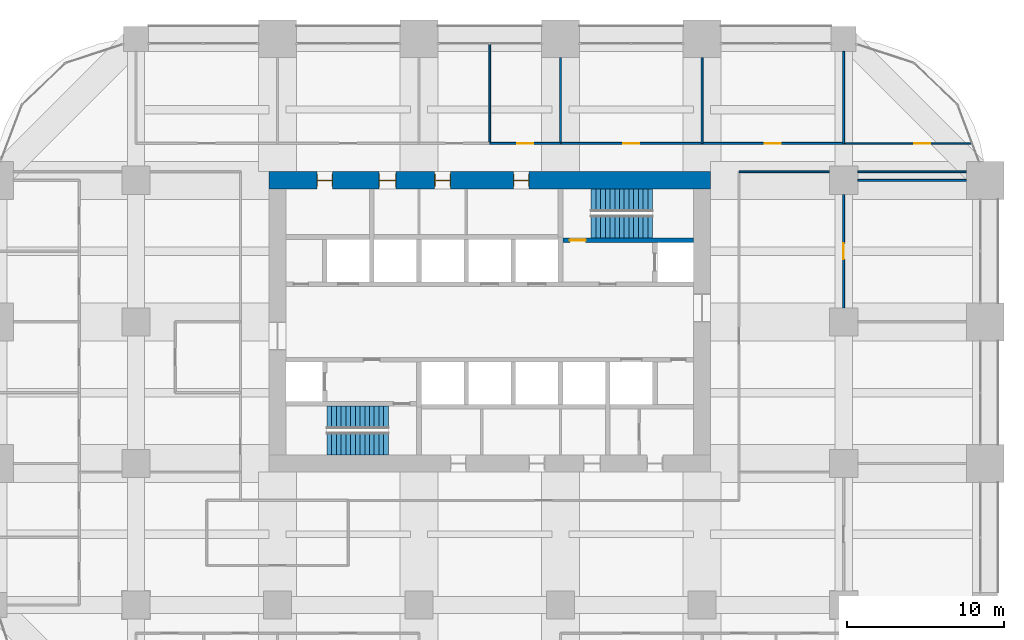
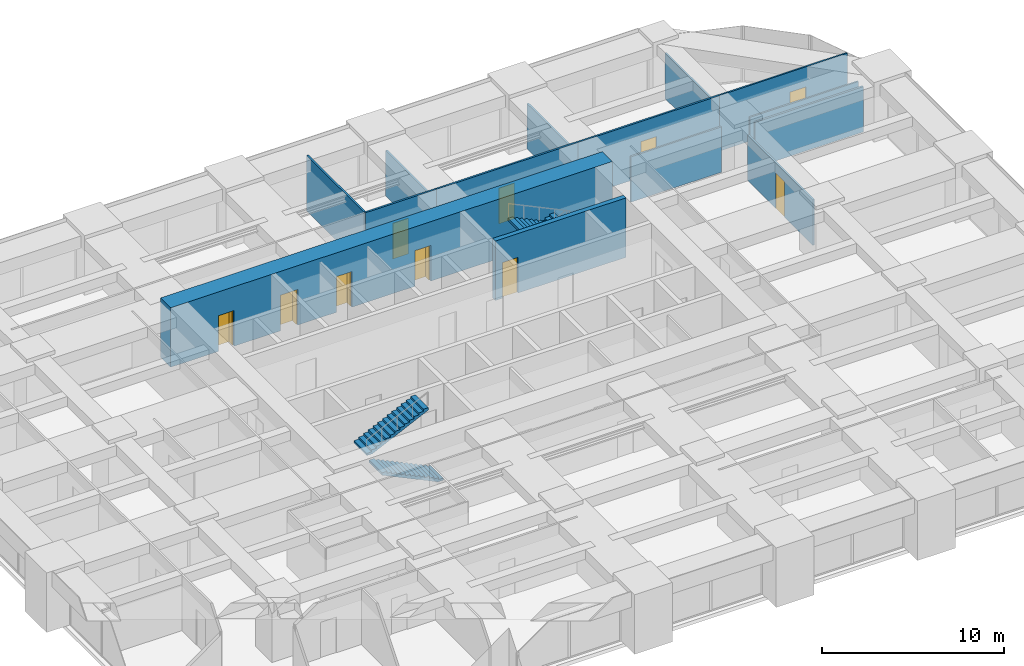
# One storey, part 41 of 43: 14 walls, 10 doors, 4 stair flights, 10 openings, 2 elements without a shape of their own.
"""IFC4 building model written with IfcOpenShell, lengths in metres."""

from ifc_helpers import new_model, si_unit, direction, frame, frame_2d, origin, place, context, subcontext, project, spatial, polyline, rectangle, outline, extrude, material, layer, layer_set, type_object, element, fill, aggregate, save


model = new_model("IFC4")

# Units and contexts
model_context = context("Model", 3, precision=1e-05, world=origin(), true_north=direction((0.0, 1.0)))
body_context = subcontext(model_context, "Body", "Model", "MODEL_VIEW")
ifc_project = project(units=[si_unit("LENGTHUNIT", "METRE"), si_unit("AREAUNIT", "SQUARE_METRE"), si_unit("VOLUMEUNIT", "CUBIC_METRE"), si_unit("PLANEANGLEUNIT", "RADIAN"), si_unit("MASSUNIT", "GRAM", prefix="KILO")], contexts=[model_context])

# Site, building, storey
site_placement = place(None, origin())
site = spatial("IfcSite", under=ifc_project, at=site_placement, CompositionType="ELEMENT")
building_placement = place(site_placement, origin())
building = spatial("IfcBuilding", under=site, at=building_placement, Name="Zorevar Civic Tower", CompositionType="ELEMENT")
storey_placement = place(building_placement, frame((0.0, 0.0, 145.0)))
storey = spatial("IfcBuildingStorey", under=building, at=storey_placement, Name="L35", CompositionType="ELEMENT", Elevation=145.0)

# Wall, openings, doors
ifc_material_1 = material(Name="Concrete C50/60", Category="concrete")
ifc_layer_1 = layer(ifc_material_1, 1.10009765625)
ifc_layer_set_1 = layer_set([ifc_layer_1], Name="Core wall 1100")
wall_type_1 = type_object("IfcWallType", Name="Core wall 1100", PredefinedType="SHEAR", material=ifc_layer_set_1)
wall_1_placement = place(storey_placement, frame((45.550048828125, 36.0, 0.0), z_axis=(0.0, 0.0, 1.0), x_axis=(-1.0, 0.0, 0.0)))
wall_1 = element("IfcWall", 1, at=wall_1_placement, inside=storey, type_object=wall_type_1, Name="Core wall N L35", PredefinedType="SHEAR", context=body_context, shape_type="SweptSolid", body=[
    extrude(rectangle(XDim=28.10009765625, YDim=1.10009765625, at=frame_2d((14.050048828125, 0.0))), origin(), (0.0, 0.0, 1.0), 4.0),
])
opening_1_placement = place(wall_1_placement, frame((11.550048828125, 0.0, 0.0)))
opening_1 = element("IfcOpeningElement", 2, at=opening_1_placement, cuts=wall_1, Name="Opening L35.07", PredefinedType="OPENING", context=body_context, shape_type="SweptSolid", body=[
    extrude(rectangle(XDim=1.0, YDim=2.39990234375, at=frame_2d((0.5, 1.199951171875))), frame((0.0, 0.56005859375, 0.0), z_axis=(0.0, -1.0, 0.0), x_axis=(1.0, 0.0, 0.0)), (0.0, 0.0, 1.0), 1.1201171875),
])
opening_2_placement = place(wall_1_placement, frame((16.550048828125, 0.0, 0.0)))
opening_2 = element("IfcOpeningElement", 3, at=opening_2_placement, cuts=wall_1, Name="Opening L35.08", PredefinedType="OPENING", context=body_context, shape_type="SweptSolid", body=[
    extrude(rectangle(XDim=1.0, YDim=2.39990234375, at=frame_2d((0.5, 1.199951171875))), frame((0.0, 0.56005859375, 0.0), z_axis=(0.0, -1.0, 0.0), x_axis=(1.0, 0.0, 0.0)), (0.0, 0.0, 1.0), 1.1201171875),
])
opening_3_placement = place(wall_1_placement, frame((20.0, 0.0, 0.0)))
opening_3 = element("IfcOpeningElement", 4, at=opening_3_placement, cuts=wall_1, Name="Opening L35.09", PredefinedType="OPENING", context=body_context, shape_type="SweptSolid", body=[
    extrude(rectangle(XDim=1.10009765625, YDim=2.39990234375, at=frame_2d((0.550048828125, 1.199951171875))), frame((0.0, 0.56005859375, 0.0), z_axis=(0.0, -1.0, 0.0), x_axis=(1.0, 0.0, 0.0)), (0.0, 0.0, 1.0), 1.1201171875),
])
opening_4_placement = place(wall_1_placement, frame((24.050048828125, 0.0, 0.0)))
opening_4 = element("IfcOpeningElement", 5, at=opening_4_placement, cuts=wall_1, Name="Opening L35.10", PredefinedType="OPENING", context=body_context, shape_type="SweptSolid", body=[
    extrude(rectangle(XDim=1.0, YDim=2.39990234375, at=frame_2d((0.5, 1.199951171875))), frame((0.0, 0.56005859375, 0.0), z_axis=(0.0, -1.0, 0.0), x_axis=(1.0, 0.0, 0.0)), (0.0, 0.0, 1.0), 1.1201171875),
])
ifc_material_2 = material(Name="Timber door set", Category="wood")
door_type_1 = type_object("IfcDoorType", Name="Door D1 1000x2400", OperationType="SINGLE_SWING_LEFT", PredefinedType="DOOR", material=ifc_material_2)
door_1_placement = place(opening_1_placement, origin())
door_1 = element("IfcDoor", 6, at=door_1_placement, inside=storey, type_object=door_type_1, Name="Door L35 06", OperationType="SINGLE_SWING_LEFT", OverallHeight=2.39990234375, OverallWidth=1.0, PredefinedType="DOOR", context=body_context, shape_type="SweptSolid", body=[
    extrude(rectangle(XDim=1.0, YDim=2.39990234375, at=frame_2d((0.5, 1.199951171875))), frame((0.0, 0.02490234375, 0.0), z_axis=(0.0, -1.0, 0.0), x_axis=(1.0, 0.0, 0.0)), (0.0, 0.0, 1.0), 0.050048828125),
    extrude(rectangle(XDim=0.04, YDim=2.39990234375, at=frame_2d((0.02001953125, 1.199951171875))), frame((0.0, 0.39990234375, 0.0), z_axis=(0.0, -1.0, 0.0), x_axis=(1.0, 0.0, 0.0)), (0.0, 0.0, 1.0), 0.800048828125),
    extrude(rectangle(XDim=0.04, YDim=2.39990234375, at=frame_2d((0.97998046875, 1.199951171875))), frame((0.0, 0.39990234375, 0.0), z_axis=(0.0, -1.0, 0.0), x_axis=(1.0, 0.0, 0.0)), (0.0, 0.0, 1.0), 0.800048828125),
    extrude(rectangle(XDim=1.0, YDim=0.04, at=frame_2d((0.5, 2.3798828125))), frame((0.0, 0.39990234375, 0.0), z_axis=(0.0, -1.0, 0.0), x_axis=(1.0, 0.0, 0.0)), (0.0, 0.0, 1.0), 0.800048828125),
])
fill(opening_1, door_1)
door_2_placement = place(opening_2_placement, origin())
door_2 = element("IfcDoor", 7, at=door_2_placement, inside=storey, type_object=door_type_1, Name="Door L35 07", OperationType="SINGLE_SWING_RIGHT", OverallHeight=2.39990234375, OverallWidth=1.0, PredefinedType="DOOR", context=body_context, shape_type="SweptSolid", body=[
    extrude(rectangle(XDim=1.0, YDim=2.39990234375, at=frame_2d((0.5, 1.199951171875))), frame((0.0, 0.02490234375, 0.0), z_axis=(0.0, -1.0, 0.0), x_axis=(1.0, 0.0, 0.0)), (0.0, 0.0, 1.0), 0.050048828125),
    extrude(rectangle(XDim=0.04, YDim=2.39990234375, at=frame_2d((0.02001953125, 1.199951171875))), frame((0.0, 0.39990234375, 0.0), z_axis=(0.0, -1.0, 0.0), x_axis=(1.0, 0.0, 0.0)), (0.0, 0.0, 1.0), 0.800048828125),
    extrude(rectangle(XDim=0.04, YDim=2.39990234375, at=frame_2d((0.97998046875, 1.199951171875))), frame((0.0, 0.39990234375, 0.0), z_axis=(0.0, -1.0, 0.0), x_axis=(1.0, 0.0, 0.0)), (0.0, 0.0, 1.0), 0.800048828125),
    extrude(rectangle(XDim=1.0, YDim=0.04, at=frame_2d((0.5, 2.3798828125))), frame((0.0, 0.39990234375, 0.0), z_axis=(0.0, -1.0, 0.0), x_axis=(1.0, 0.0, 0.0)), (0.0, 0.0, 1.0), 0.800048828125),
])
fill(opening_2, door_2)
door_3_placement = place(opening_4_placement, origin())
door_3 = element("IfcDoor", 8, at=door_3_placement, inside=storey, type_object=door_type_1, Name="Door L35 09", OperationType="SINGLE_SWING_RIGHT", OverallHeight=2.39990234375, OverallWidth=1.0, PredefinedType="DOOR", context=body_context, shape_type="SweptSolid", body=[
    extrude(rectangle(XDim=1.0, YDim=2.39990234375, at=frame_2d((0.5, 1.199951171875))), frame((0.0, 0.02490234375, 0.0), z_axis=(0.0, -1.0, 0.0), x_axis=(1.0, 0.0, 0.0)), (0.0, 0.0, 1.0), 0.050048828125),
    extrude(rectangle(XDim=0.04, YDim=2.39990234375, at=frame_2d((0.02001953125, 1.199951171875))), frame((0.0, 0.39990234375, 0.0), z_axis=(0.0, -1.0, 0.0), x_axis=(1.0, 0.0, 0.0)), (0.0, 0.0, 1.0), 0.800048828125),
    extrude(rectangle(XDim=0.04, YDim=2.39990234375, at=frame_2d((0.97998046875, 1.199951171875))), frame((0.0, 0.39990234375, 0.0), z_axis=(0.0, -1.0, 0.0), x_axis=(1.0, 0.0, 0.0)), (0.0, 0.0, 1.0), 0.800048828125),
    extrude(rectangle(XDim=1.0, YDim=0.04, at=frame_2d((0.5, 2.3798828125))), frame((0.0, 0.39990234375, 0.0), z_axis=(0.0, -1.0, 0.0), x_axis=(1.0, 0.0, 0.0)), (0.0, 0.0, 1.0), 0.800048828125),
])
fill(opening_4, door_3)
ifc_material_3 = material(Name="Timber door set", Category="wood")
door_type_2 = type_object("IfcDoorType", Name="Door D5 1100x2400", OperationType="SINGLE_SWING_LEFT", PredefinedType="DOOR", material=ifc_material_3)
door_4_placement = place(opening_3_placement, origin())
door_4 = element("IfcDoor", 9, at=door_4_placement, inside=storey, type_object=door_type_2, Name="Door L35 08", OperationType="SINGLE_SWING_RIGHT", OverallHeight=2.39990234375, OverallWidth=1.10009765625, PredefinedType="DOOR", context=body_context, shape_type="SweptSolid", body=[
    extrude(rectangle(XDim=1.10009765625, YDim=2.39990234375, at=frame_2d((0.550048828125, 1.199951171875))), frame((0.0, 0.02490234375, 0.0), z_axis=(0.0, -1.0, 0.0), x_axis=(1.0, 0.0, 0.0)), (0.0, 0.0, 1.0), 0.050048828125),
    extrude(rectangle(XDim=0.04, YDim=2.39990234375, at=frame_2d((0.02001953125, 1.199951171875))), frame((0.0, 0.43994140625, 0.0), z_axis=(0.0, -1.0, 0.0), x_axis=(1.0, 0.0, 0.0)), (0.0, 0.0, 1.0), 0.880126953125),
    extrude(rectangle(XDim=0.04, YDim=2.39990234375, at=frame_2d((1.080078125, 1.199951171875))), frame((0.0, 0.43994140625, 0.0), z_axis=(0.0, -1.0, 0.0), x_axis=(1.0, 0.0, 0.0)), (0.0, 0.0, 1.0), 0.880126953125),
    extrude(rectangle(XDim=1.10009765625, YDim=0.04, at=frame_2d((0.550048828125, 2.3798828125))), frame((0.0, 0.43994140625, 0.0), z_axis=(0.0, -1.0, 0.0), x_axis=(1.0, 0.0, 0.0)), (0.0, 0.0, 1.0), 0.880126953125),
])
fill(opening_3, door_4)

# Walls
ifc_material_4 = material(Name="Laminated glass in black aluminium frame", Category="aluminium")
ifc_layer_2 = layer(ifc_material_4, 0.10009765625)
ifc_layer_set_2 = layer_set([ifc_layer_2], Name="Glazed partition 100")
wall_type_2 = type_object("IfcWallType", Name="Glazed partition 100", PredefinedType="PARTITIONING", material=ifc_layer_set_2)
wall_2_placement = place(storey_placement, frame((47.35009765625, 36.550048828125, 0.0), z_axis=(0.0, 0.0, 1.0), x_axis=(1.0, 0.0, 0.0)))
element("IfcWall", 10, at=wall_2_placement, inside=storey, type_object=wall_type_2, Name="Glazed partition 100 L35", PredefinedType="PARTITIONING", context=body_context, shape_type="SweptSolid", body=[
    extrude(rectangle(XDim=5.75, YDim=0.10009765625, at=frame_2d((2.875, 0.0))), origin(), (0.0, 0.0, 1.0), 3.050048828125),
])
wall_3_placement = place(storey_placement, frame((54.89990234375, 36.550048828125, 0.0), z_axis=(0.0, 0.0, 1.0), x_axis=(1.0, 0.0, 0.0)))
element("IfcWall", 11, at=wall_3_placement, inside=storey, type_object=wall_type_2, Name="Glazed partition 100 L35", PredefinedType="PARTITIONING", context=body_context, shape_type="SweptSolid", body=[
    extrude(rectangle(XDim=6.900146484375, YDim=0.10009765625, at=frame_2d((3.4501953125, 0.0))), origin(), (0.0, 0.0, 1.0), 3.050048828125),
])

# Wall, opening, door
wall_4_placement = place(storey_placement, frame((54.0, 38.35009765625, 0.0), z_axis=(0.0, 0.0, 1.0), x_axis=(1.0, 0.0, 0.0)))
wall_4 = element("IfcWall", 12, at=wall_4_placement, inside=storey, type_object=wall_type_2, Name="Glazed partition 100 L35", PredefinedType="PARTITIONING", context=body_context, shape_type="SweptSolid", body=[
    extrude(rectangle(XDim=8.1455078125, YDim=0.10009765625, at=frame_2d((4.07275390625, 0.0))), origin(), (0.0, 0.0, 1.0), 3.75),
])
opening_5_placement = place(wall_4_placement, frame((4.5, 0.0, 0.0)))
opening_5 = element("IfcOpeningElement", 13, at=opening_5_placement, cuts=wall_4, Name="Opening L35.31", PredefinedType="OPENING", context=body_context, shape_type="SweptSolid", body=[
    extrude(rectangle(XDim=1.0, YDim=2.39990234375, at=frame_2d((0.5, 1.199951171875))), frame((0.0, 0.06005859375, 0.0), z_axis=(0.0, -1.0, 0.0), x_axis=(1.0, 0.0, 0.0)), (0.0, 0.0, 1.0), 0.1201171875),
])
ifc_material_5 = material(Name="Timber door set", Category="wood")
door_type_3 = type_object("IfcDoorType", Name="Glazed door GD1 1000x2400", OperationType="SINGLE_SWING_LEFT", PredefinedType="DOOR", material=ifc_material_5)
door_5_placement = place(opening_5_placement, origin())
door_5 = element("IfcDoor", 14, at=door_5_placement, inside=storey, type_object=door_type_3, Name="Door L35 D1", OperationType="SINGLE_SWING_RIGHT", OverallHeight=2.39990234375, OverallWidth=1.0, PredefinedType="DOOR", context=body_context, shape_type="SweptSolid", body=[
    extrude(rectangle(XDim=1.0, YDim=2.39990234375, at=frame_2d((0.5, 1.199951171875))), frame((0.0, 0.02001953125, 0.0), z_axis=(0.0, -1.0, 0.0), x_axis=(1.0, 0.0, 0.0)), (0.0, 0.0, 1.0), 0.0400390625),
])
fill(opening_5, door_5)

ifc_material_6 = material(Name="Concrete C40/50", Category="concrete")
ifc_layer_3 = layer(ifc_material_6, 0.300048828125)
ifc_layer_set_3 = layer_set([ifc_layer_3], Name="Inner core wall 300")
wall_type_3 = type_object("IfcWallType", Name="Inner core wall 300", PredefinedType="SHEAR", material=ifc_layer_set_3)
wall_5_placement = place(storey_placement, frame((36.14990234375, 32.199951171875, 0.0), z_axis=(0.0, 0.0, 1.0), x_axis=(1.0, 0.0, 0.0)))
wall_5 = element("IfcWall", 15, at=wall_5_placement, inside=storey, type_object=wall_type_3, Name="Inner core wall N00 L35", PredefinedType="SHEAR", context=body_context, shape_type="SweptSolid", body=[
    extrude(rectangle(XDim=8.300048828125, YDim=0.300048828125, at=frame_2d((4.14990234375, 0.0))), origin(), (0.0, 0.0, 1.0), 4.0),
])
opening_6_placement = place(wall_5_placement, frame((0.449951171875, 0.0, 0.0)))
opening_6 = element("IfcOpeningElement", 16, at=opening_6_placement, cuts=wall_5, Name="Opening L35.12", PredefinedType="OPENING", context=body_context, shape_type="SweptSolid", body=[
    extrude(rectangle(XDim=1.0, YDim=2.39990234375, at=frame_2d((0.5, 1.199951171875))), frame((0.0, 0.159912109375, 0.0), z_axis=(0.0, -1.0, 0.0), x_axis=(1.0, 0.0, 0.0)), (0.0, 0.0, 1.0), 0.320068359375),
])
ifc_material_7 = material(Name="Steel door set", Category="steel")
door_type_4 = type_object("IfcDoorType", Name="Fire door FD1 1000x2400", OperationType="SINGLE_SWING_LEFT", PredefinedType="DOOR", material=ifc_material_7)
door_6_placement = place(opening_6_placement, origin())
door_6 = element("IfcDoor", 17, at=door_6_placement, inside=storey, type_object=door_type_4, Name="Door L35 11", OperationType="SINGLE_SWING_RIGHT", OverallHeight=2.39990234375, OverallWidth=1.0, PredefinedType="DOOR", context=body_context, shape_type="SweptSolid", body=[
    extrude(rectangle(XDim=1.0, YDim=2.39990234375, at=frame_2d((0.5, 1.199951171875))), frame((0.0, 0.030029296875, 0.0), z_axis=(0.0, -1.0, 0.0), x_axis=(1.0, 0.0, 0.0)), (0.0, 0.0, 1.0), 0.06005859375),
])
fill(opening_6, door_6)

# Wall
ifc_material_8 = material(Name="Gypsum board on steel studs", Category="steel")
ifc_layer_4 = layer(ifc_material_8, 0.1201171875)
ifc_layer_set_4 = layer_set([ifc_layer_4], Name="Partition 120")
wall_type_4 = type_object("IfcWallType", Name="Partition 120", PredefinedType="PARTITIONING", material=ifc_layer_set_4)
wall_6_placement = place(storey_placement, frame((54.89990234375, 36.0, 0.0), z_axis=(0.0, 0.0, 1.0), x_axis=(1.0, 0.0, 0.0)))
element("IfcWall", 18, at=wall_6_placement, inside=storey, type_object=wall_type_4, Name="Partition 120 L35", PredefinedType="PARTITIONING", context=body_context, shape_type="SweptSolid", body=[
    extrude(rectangle(XDim=6.900146484375, YDim=0.1201171875, at=frame_2d((3.4501953125, 0.0))), origin(), (0.0, 0.0, 1.0), 3.050048828125),
])

# Wall, opening, door
wall_7_placement = place(storey_placement, frame((31.5, 38.35009765625, 0.0), z_axis=(0.0, 0.0, 1.0), x_axis=(1.0, 0.0, 0.0)))
wall_7 = element("IfcWall", 19, at=wall_7_placement, inside=storey, type_object=wall_type_4, Name="Partition 120 L35", PredefinedType="PARTITIONING", context=body_context, shape_type="SweptSolid", body=[
    extrude(rectangle(XDim=4.5, YDim=0.1201171875, at=frame_2d((2.25, 0.0))), origin(), (0.0, 0.0, 1.0), 3.75),
])
opening_7_placement = place(wall_7_placement, frame((1.75, 0.0, 0.0)))
opening_7 = element("IfcOpeningElement", 20, at=opening_7_placement, cuts=wall_7, Name="Opening L35.28", PredefinedType="OPENING", context=body_context, shape_type="SweptSolid", body=[
    extrude(rectangle(XDim=1.0, YDim=2.39990234375, at=frame_2d((0.5, 1.199951171875))), frame((0.0, 0.070068359375, 0.0), z_axis=(0.0, -1.0, 0.0), x_axis=(1.0, 0.0, 0.0)), (0.0, 0.0, 1.0), 0.14013671875),
])
door_7_placement = place(opening_7_placement, origin())
door_7 = element("IfcDoor", 21, at=door_7_placement, inside=storey, type_object=door_type_1, Name="Door L35 D1", OperationType="SINGLE_SWING_RIGHT", OverallHeight=2.39990234375, OverallWidth=1.0, PredefinedType="DOOR", context=body_context, shape_type="SweptSolid", body=[
    extrude(rectangle(XDim=1.0, YDim=2.39990234375, at=frame_2d((0.5, 1.199951171875))), frame((0.0, 0.02490234375, 0.0), z_axis=(0.0, -1.0, 0.0), x_axis=(1.0, 0.0, 0.0)), (0.0, 0.0, 1.0), 0.050048828125),
])
fill(opening_7, door_7)

wall_8_placement = place(storey_placement, frame((36.0, 38.35009765625, 0.0), z_axis=(0.0, 0.0, 1.0), x_axis=(1.0, 0.0, 0.0)))
wall_8 = element("IfcWall", 22, at=wall_8_placement, inside=storey, type_object=wall_type_4, Name="Partition 120 L35", PredefinedType="PARTITIONING", context=body_context, shape_type="SweptSolid", body=[
    extrude(rectangle(XDim=9.0, YDim=0.1201171875, at=frame_2d((4.5, 0.0))), origin(), (0.0, 0.0, 1.0), 3.75),
])
opening_8_placement = place(wall_8_placement, frame((4.0, 0.0, 0.0)))
opening_8 = element("IfcOpeningElement", 23, at=opening_8_placement, cuts=wall_8, Name="Opening L35.29", PredefinedType="OPENING", context=body_context, shape_type="SweptSolid", body=[
    extrude(rectangle(XDim=1.0, YDim=2.39990234375, at=frame_2d((0.5, 1.199951171875))), frame((0.0, 0.070068359375, 0.0), z_axis=(0.0, -1.0, 0.0), x_axis=(1.0, 0.0, 0.0)), (0.0, 0.0, 1.0), 0.14013671875),
])
door_8_placement = place(opening_8_placement, origin())
door_8 = element("IfcDoor", 24, at=door_8_placement, inside=storey, type_object=door_type_1, Name="Door L35 D1", OperationType="SINGLE_SWING_RIGHT", OverallHeight=2.39990234375, OverallWidth=1.0, PredefinedType="DOOR", context=body_context, shape_type="SweptSolid", body=[
    extrude(rectangle(XDim=1.0, YDim=2.39990234375, at=frame_2d((0.5, 1.199951171875))), frame((0.0, 0.02490234375, 0.0), z_axis=(0.0, -1.0, 0.0), x_axis=(1.0, 0.0, 0.0)), (0.0, 0.0, 1.0), 0.050048828125),
])
fill(opening_8, door_8)

wall_9_placement = place(storey_placement, frame((45.0, 38.35009765625, 0.0), z_axis=(0.0, 0.0, 1.0), x_axis=(1.0, 0.0, 0.0)))
wall_9 = element("IfcWall", 25, at=wall_9_placement, inside=storey, type_object=wall_type_4, Name="Partition 120 L35", PredefinedType="PARTITIONING", context=body_context, shape_type="SweptSolid", body=[
    extrude(rectangle(XDim=9.0, YDim=0.1201171875, at=frame_2d((4.5, 0.0))), origin(), (0.0, 0.0, 1.0), 3.75),
])
opening_9_placement = place(wall_9_placement, frame((4.0, 0.0, 0.0)))
opening_9 = element("IfcOpeningElement", 26, at=opening_9_placement, cuts=wall_9, Name="Opening L35.30", PredefinedType="OPENING", context=body_context, shape_type="SweptSolid", body=[
    extrude(rectangle(XDim=1.0, YDim=2.39990234375, at=frame_2d((0.5, 1.199951171875))), frame((0.0, 0.070068359375, 0.0), z_axis=(0.0, -1.0, 0.0), x_axis=(1.0, 0.0, 0.0)), (0.0, 0.0, 1.0), 0.14013671875),
])
door_9_placement = place(opening_9_placement, origin())
door_9 = element("IfcDoor", 27, at=door_9_placement, inside=storey, type_object=door_type_1, Name="Door L35 D1", OperationType="SINGLE_SWING_RIGHT", OverallHeight=2.39990234375, OverallWidth=1.0, PredefinedType="DOOR", context=body_context, shape_type="SweptSolid", body=[
    extrude(rectangle(XDim=1.0, YDim=2.39990234375, at=frame_2d((0.5, 1.199951171875))), frame((0.0, 0.02490234375, 0.0), z_axis=(0.0, -1.0, 0.0), x_axis=(1.0, 0.0, 0.0)), (0.0, 0.0, 1.0), 0.050048828125),
])
fill(opening_9, door_9)

# Walls
wall_10_placement = place(storey_placement, frame((31.5, 38.35009765625, 0.0), z_axis=(0.0, 0.0, 1.0), x_axis=(0.0, 1.0, 0.0)))
element("IfcWall", 28, at=wall_10_placement, inside=storey, type_object=wall_type_4, Name="Partition 120 L35", PredefinedType="PARTITIONING", context=body_context, shape_type="SweptSolid", body=[
    extrude(rectangle(XDim=6.33984375, YDim=0.1201171875, at=frame_2d((3.169921875, 0.0))), origin(), (0.0, 0.0, 1.0), 3.75),
])
for number, where, z_axis, x_axis, name in (
    (29, (36.0, 38.35009765625, 0.0), (0.0, 0.0, 1.0), (0.0, 1.0, 0.0), "Partition 120 L35"),
    (30, (45.0, 38.35009765625, 0.0), (0.0, 0.0, 1.0), (0.0, 1.0, 0.0), "Partition 120 L35"),
):
    element("IfcWall", number, at=place(storey_placement, frame(where, z_axis=z_axis, x_axis=x_axis)), inside=storey, type_object=wall_type_4, Name=name, PredefinedType="PARTITIONING", context=body_context, shape_type="SweptSolid", body=[
        extrude(rectangle(XDim=5.449951171875, YDim=0.1201171875, at=frame_2d((2.72509765625, 0.0))), origin(), (0.0, 0.0, 1.0), 3.050048828125),
    ])
wall_11_placement = place(storey_placement, frame((54.0, 38.35009765625, 0.0), z_axis=(0.0, 0.0, 1.0), x_axis=(0.0, 1.0, 0.0)))
element("IfcWall", 31, at=wall_11_placement, inside=storey, type_object=wall_type_4, Name="Partition 120 L35", PredefinedType="PARTITIONING", context=body_context, shape_type="SweptSolid", body=[
    extrude(rectangle(XDim=5.849853515625, YDim=0.1201171875, at=frame_2d((2.9248046875, 0.0))), origin(), (0.0, 0.0, 1.0), 3.050048828125),
])

# Wall, opening, door
wall_12_placement = place(storey_placement, frame((54.0, 27.89990234375, 0.0), z_axis=(0.0, 0.0, 1.0), x_axis=(0.0, 1.0, 0.0)))
wall_12 = element("IfcWall", 32, at=wall_12_placement, inside=storey, type_object=wall_type_4, Name="Partition 120 L35", PredefinedType="PARTITIONING", context=body_context, shape_type="SweptSolid", body=[
    extrude(rectangle(XDim=7.2001953125, YDim=0.1201171875, at=frame_2d((3.60009765625, 0.0))), origin(), (0.0, 0.0, 1.0), 3.050048828125),
])
opening_10_placement = place(wall_12_placement, frame((3.10009765625, 0.0, 0.0)))
opening_10 = element("IfcOpeningElement", 33, at=opening_10_placement, cuts=wall_12, Name="Opening L35.42", PredefinedType="OPENING", context=body_context, shape_type="SweptSolid", body=[
    extrude(rectangle(XDim=1.0, YDim=2.39990234375, at=frame_2d((0.5, 1.199951171875))), frame((0.0, 0.070068359375, 0.0), z_axis=(0.0, -1.0, 0.0), x_axis=(1.0, 0.0, 0.0)), (0.0, 0.0, 1.0), 0.14013671875),
])
door_10_placement = place(opening_10_placement, origin())
door_10 = element("IfcDoor", 34, at=door_10_placement, inside=storey, type_object=door_type_1, Name="Door L35 D1", OperationType="SINGLE_SWING_RIGHT", OverallHeight=2.39990234375, OverallWidth=1.0, PredefinedType="DOOR", context=body_context, shape_type="SweptSolid", body=[
    extrude(rectangle(XDim=1.0, YDim=2.39990234375, at=frame_2d((0.5, 1.199951171875))), frame((0.0, 0.02490234375, 0.0), z_axis=(0.0, -1.0, 0.0), x_axis=(1.0, 0.0, 0.0)), (0.0, 0.0, 1.0), 0.050048828125),
])
fill(opening_10, door_10)

# Stair, stair flights
ifc_material_9 = material(Name="Precast concrete C40/50", Category="concrete")
stair_type = type_object("IfcStairType", Name="Stair ST 28R", PredefinedType="HALF_TURN_STAIR", material=ifc_material_9)
stair_1_placement = place(storey_placement, origin())
stair_1 = element("IfcStair", 35, at=stair_1_placement, inside=storey, type_object=stair_type, Name="Stair ST1 L35", PredefinedType="HALF_TURN_STAIR")
ifc_material_10 = material(Name="Precast concrete C40/50", Category="concrete")
stair_flight_type = type_object("IfcStairFlightType", Name="Stair flight", PredefinedType="STRAIGHT", material=ifc_material_10)
stair_flight_1_placement = place(storey_placement, frame((25.050048828125, 19.262451171875, 0.0), z_axis=(0.0, 0.0, 1.0), x_axis=(-1.0, 0.0, 0.0)))
stair_flight_1 = element("IfcStairFlight", 36, at=stair_flight_1_placement, type_object=stair_flight_type, Name="ST1 flight 1", NumberOfRisers=14, NumberOfTreads=13, PredefinedType="STRAIGHT", RiserHeight=0.142857143, TreadLength=0.3, context=body_context, shape_type="SweptSolid", body=[
    extrude(outline(polyline([(0.0, 0.0), (0.0, 0.142822265625), (0.300048828125, 0.142822265625), (0.300048828125, 0.28564453125), (0.60009765625, 0.28564453125), (0.60009765625, 0.428466796875), (0.89990234375, 0.428466796875), (0.89990234375, 0.571533203125), (1.199951171875, 0.571533203125), (1.199951171875, 0.71435546875), (1.5, 0.71435546875), (1.5, 0.857177734375), (1.800048828125, 0.857177734375), (1.800048828125, 1.0), (2.10009765625, 1.0), (2.10009765625, 1.142822265625), (2.39990234375, 1.142822265625), (2.39990234375, 1.28564453125), (2.699951171875, 1.28564453125), (2.699951171875, 1.428466796875), (3.0, 1.428466796875), (3.0, 1.571533203125), (3.300048828125, 1.571533203125), (3.300048828125, 1.71435546875), (3.60009765625, 1.71435546875), (3.60009765625, 1.857177734375), (3.89990234375, 1.857177734375), (3.89990234375, 2.0), (3.89990234375, 1.691162109375), (0.3486328125, 0.0), (0.0, 0.0)])), frame((0.0, 0.71240234375, 0.0), z_axis=(0.0, -1.0, 0.0), x_axis=(1.0, 0.0, 0.0)), (0.0, 0.0, 1.0), 1.425048828125),
])
stair_flight_2_placement = place(storey_placement, frame((21.14990234375, 20.9375, 2.0), z_axis=(0.0, 0.0, 1.0), x_axis=(1.0, 0.0, 0.0)))
stair_flight_2 = element("IfcStairFlight", 37, at=stair_flight_2_placement, type_object=stair_flight_type, Name="ST1 flight 2", NumberOfRisers=14, NumberOfTreads=13, PredefinedType="STRAIGHT", RiserHeight=0.142857143, TreadLength=0.3, context=body_context, shape_type="SweptSolid", body=[
    extrude(outline(polyline([(0.0, 0.0), (0.0, 0.142822265625), (0.300048828125, 0.142822265625), (0.300048828125, 0.28564453125), (0.60009765625, 0.28564453125), (0.60009765625, 0.428466796875), (0.89990234375, 0.428466796875), (0.89990234375, 0.571533203125), (1.199951171875, 0.571533203125), (1.199951171875, 0.71435546875), (1.5, 0.71435546875), (1.5, 0.857177734375), (1.800048828125, 0.857177734375), (1.800048828125, 1.0), (2.10009765625, 1.0), (2.10009765625, 1.142822265625), (2.39990234375, 1.142822265625), (2.39990234375, 1.28564453125), (2.699951171875, 1.28564453125), (2.699951171875, 1.428466796875), (3.0, 1.428466796875), (3.0, 1.571533203125), (3.300048828125, 1.571533203125), (3.300048828125, 1.71435546875), (3.60009765625, 1.71435546875), (3.60009765625, 1.857177734375), (3.89990234375, 1.857177734375), (3.89990234375, 2.0), (3.89990234375, 1.691162109375), (0.3486328125, 0.0), (0.0, 0.0)])), frame((0.0, 0.71240234375, 0.0), z_axis=(0.0, -1.0, 0.0), x_axis=(1.0, 0.0, 0.0)), (0.0, 0.0, 1.0), 1.425048828125),
])
aggregate(stair_1, [stair_flight_1, stair_flight_2])

stair_2_placement = place(storey_placement, origin())
stair_2 = element("IfcStair", 38, at=stair_2_placement, inside=storey, type_object=stair_type, Name="Stair ST2 L35", PredefinedType="HALF_TURN_STAIR")
stair_flight_3_placement = place(storey_placement, frame((37.949951171875, 34.737548828125, 0.0), z_axis=(0.0, 0.0, 1.0), x_axis=(1.0, 0.0, 0.0)))
stair_flight_3 = element("IfcStairFlight", 39, at=stair_flight_3_placement, type_object=stair_flight_type, Name="ST2 flight 1", NumberOfRisers=14, NumberOfTreads=13, PredefinedType="STRAIGHT", RiserHeight=0.142857143, TreadLength=0.3, context=body_context, shape_type="SweptSolid", body=[
    extrude(outline(polyline([(0.0, 0.0), (0.0, 0.142822265625), (0.300048828125, 0.142822265625), (0.300048828125, 0.28564453125), (0.60009765625, 0.28564453125), (0.60009765625, 0.428466796875), (0.89990234375, 0.428466796875), (0.89990234375, 0.571533203125), (1.199951171875, 0.571533203125), (1.199951171875, 0.71435546875), (1.5, 0.71435546875), (1.5, 0.857177734375), (1.800048828125, 0.857177734375), (1.800048828125, 1.0), (2.10009765625, 1.0), (2.10009765625, 1.142822265625), (2.39990234375, 1.142822265625), (2.39990234375, 1.28564453125), (2.699951171875, 1.28564453125), (2.699951171875, 1.428466796875), (3.0, 1.428466796875), (3.0, 1.571533203125), (3.300048828125, 1.571533203125), (3.300048828125, 1.71435546875), (3.60009765625, 1.71435546875), (3.60009765625, 1.857177734375), (3.89990234375, 1.857177734375), (3.89990234375, 2.0), (3.89990234375, 1.691162109375), (0.3486328125, 0.0), (0.0, 0.0)])), frame((0.0, 0.71240234375, 0.0), z_axis=(0.0, -1.0, 0.0), x_axis=(1.0, 0.0, 0.0)), (0.0, 0.0, 1.0), 1.425048828125),
])
stair_flight_4_placement = place(storey_placement, frame((41.85009765625, 33.0625, 2.0), z_axis=(0.0, 0.0, 1.0), x_axis=(-1.0, 0.0, 0.0)))
stair_flight_4 = element("IfcStairFlight", 40, at=stair_flight_4_placement, type_object=stair_flight_type, Name="ST2 flight 2", NumberOfRisers=14, NumberOfTreads=13, PredefinedType="STRAIGHT", RiserHeight=0.142857143, TreadLength=0.3, context=body_context, shape_type="SweptSolid", body=[
    extrude(outline(polyline([(0.0, 0.0), (0.0, 0.142822265625), (0.300048828125, 0.142822265625), (0.300048828125, 0.28564453125), (0.60009765625, 0.28564453125), (0.60009765625, 0.428466796875), (0.89990234375, 0.428466796875), (0.89990234375, 0.571533203125), (1.199951171875, 0.571533203125), (1.199951171875, 0.71435546875), (1.5, 0.71435546875), (1.5, 0.857177734375), (1.800048828125, 0.857177734375), (1.800048828125, 1.0), (2.10009765625, 1.0), (2.10009765625, 1.142822265625), (2.39990234375, 1.142822265625), (2.39990234375, 1.28564453125), (2.699951171875, 1.28564453125), (2.699951171875, 1.428466796875), (3.0, 1.428466796875), (3.0, 1.571533203125), (3.300048828125, 1.571533203125), (3.300048828125, 1.71435546875), (3.60009765625, 1.71435546875), (3.60009765625, 1.857177734375), (3.89990234375, 1.857177734375), (3.89990234375, 2.0), (3.89990234375, 1.691162109375), (0.3486328125, 0.0), (0.0, 0.0)])), frame((0.0, 0.71240234375, 0.0), z_axis=(0.0, -1.0, 0.0), x_axis=(1.0, 0.0, 0.0)), (0.0, 0.0, 1.0), 1.425048828125),
])
aggregate(stair_2, [stair_flight_3, stair_flight_4])

save(model, "model.ifc")
